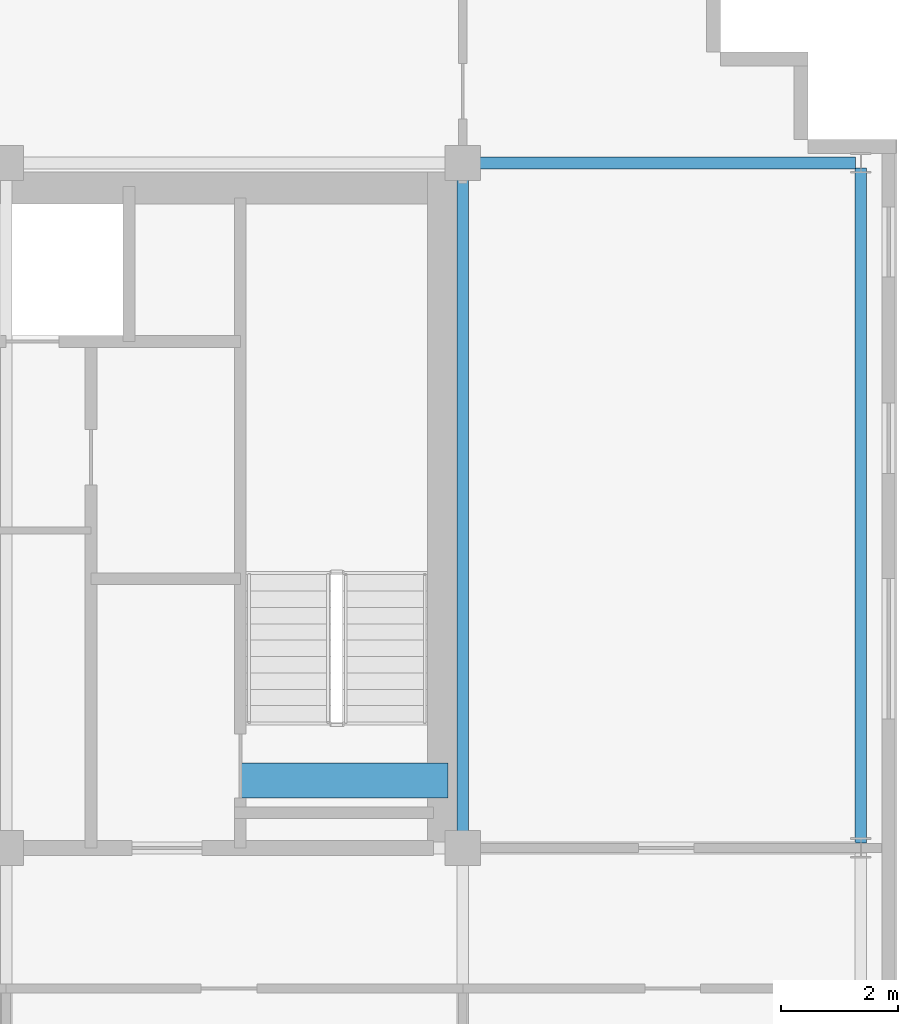
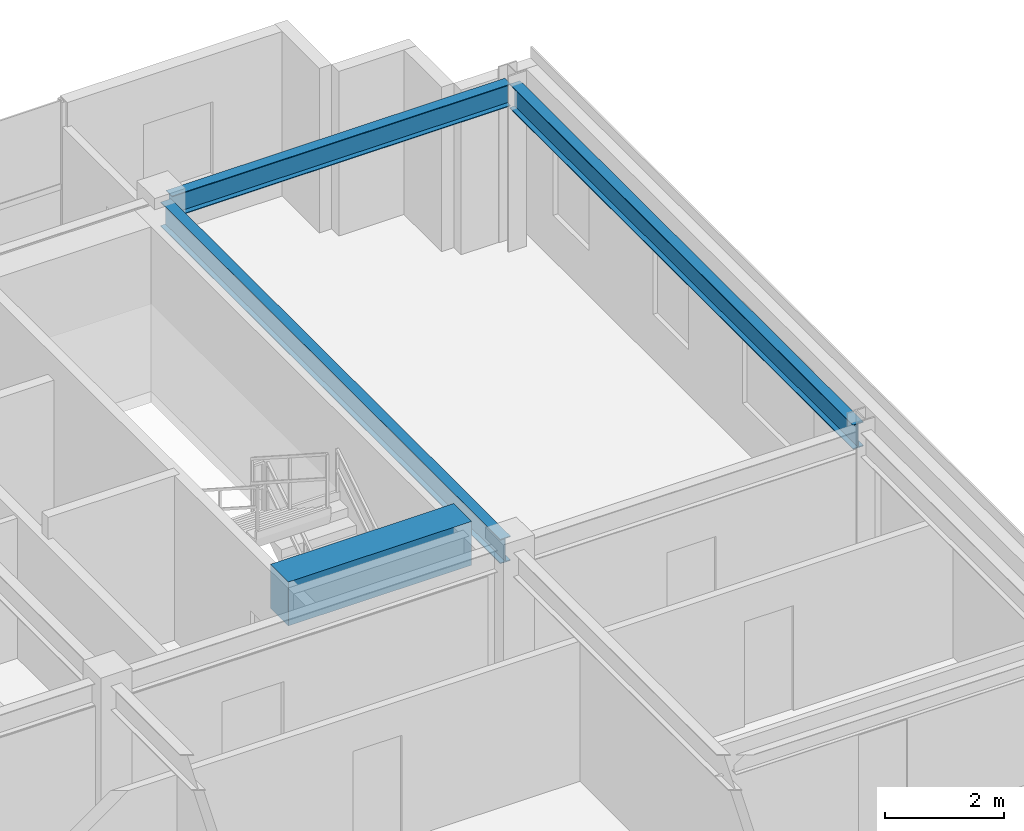
# One storey, part 13 of 21: 4 beams.
"""IFC4 building model written with IfcOpenShell, lengths in metres."""

from ifc_helpers import new_model, si_unit, direction, frame, origin, origin_2d, place, context, subcontext, project, spatial, rectangle, i_section, extrude, source, transform, mapped, material, material_profile, profile_set, type_object, element, save


model = new_model("IFC4")

# Units and contexts
model_context = context("Model", 3, precision=1e-05, world=origin(), true_north=direction((0.0, 1.0)))
body_context = subcontext(model_context, "Body", "Model", "MODEL_VIEW")
ifc_project = project(units=[si_unit("LENGTHUNIT", "METRE"), si_unit("AREAUNIT", "SQUARE_METRE"), si_unit("VOLUMEUNIT", "CUBIC_METRE"), si_unit("PLANEANGLEUNIT", "RADIAN"), si_unit("MASSUNIT", "GRAM", prefix="KILO")], contexts=[model_context])

# Site, building, storey
site_placement = place(None, origin())
site = spatial("IfcSite", under=ifc_project, at=site_placement, CompositionType="ELEMENT")
building_placement = place(site_placement, origin())
building = spatial("IfcBuilding", under=site, at=building_placement, Name="Trelvane Seafront Commons", CompositionType="ELEMENT")
storey_placement = place(building_placement, frame((0.0, 0.0, 252.300048828125)))
storey = spatial("IfcBuildingStorey", under=building, at=storey_placement, Name="L65", CompositionType="ELEMENT", Elevation=252.300048828125)

# Beams
ifc_material_1 = material(Name="Concrete C60/75", Category="concrete")
ifc_material_profile_1 = material_profile(ifc_material_1, rectangle(XDim=0.60009765625, YDim=0.89990234375, at=origin_2d()), Name="RC-600x900")
ifc_profile_set_1 = profile_set([ifc_material_profile_1], Name="Concrete C60/75")
beam_type_1 = type_object("IfcBeamType", Name="STR-LNT-RC600x900", PredefinedType="LINTEL", material=ifc_profile_set_1)
shared_shape_1 = source(origin(), body_context, "Body", "SweptSolid", [
    extrude(rectangle(XDim=0.60009765625, YDim=0.89990234375, at=origin_2d()), origin(), (0.0, 0.0, 1.0), 3.550048828125),
])
beam_1_placement = place(storey_placement, frame((55.0, 34.550048828125, 2.919921875), z_axis=(1.0, 0.0, 0.0), x_axis=(0.0, 1.0, 0.0)))
element("IfcBeam", 1, at=beam_1_placement, inside=storey, type_object=beam_type_1, Name="L65 Core Coupling Lintel Beam CB-68", PredefinedType="LINTEL", context=body_context, shape_type="MappedRepresentation", body=[
    mapped(shared_shape_1, transform((0.0, 0.0, 0.0), x_axis=(1.0, 0.0, 0.0), y_axis=(0.0, 1.0, 0.0), z_axis=(0.0, 0.0, 1.0), scale=1.0)),
])
ifc_material_2 = material(Name="Steel SM355 (S355)", Category="steel")
ifc_material_profile_2 = material_profile(ifc_material_2, i_section(OverallWidth=0.199951171875, OverallDepth=0.5, WebThickness=0.010009765625, FlangeThickness=0.01611328125, at=origin_2d()), Name="H-500x200x10x16")
ifc_profile_set_2 = profile_set([ifc_material_profile_2], Name="Steel SM355 (S355)")
beam_type_2 = type_object("IfcBeamType", Name="STR-BM-H500", PredefinedType="BEAM", material=ifc_profile_set_2)
shared_shape_2 = source(origin(), body_context, "Body", "SweptSolid", [
    extrude(i_section(OverallWidth=0.199951171875, OverallDepth=0.5, WebThickness=0.010009765625, FlangeThickness=0.01611328125, at=origin_2d()), origin(), (0.0, 0.0, 1.0), 11.39990234375),
])
beam_2_placement = place(storey_placement, frame((58.800048828125, 33.550048828125, 3.119873046875), z_axis=(0.0, 1.0, 0.0), x_axis=(-1.0, 0.0, 0.0)))
element("IfcBeam", 2, at=beam_2_placement, inside=storey, type_object=beam_type_2, Name="L65 Primary Girder G-49", PredefinedType="BEAM", context=body_context, shape_type="MappedRepresentation", body=[
    mapped(shared_shape_2, transform((0.0, 0.0, 0.0), x_axis=(1.0, 0.0, 0.0), y_axis=(0.0, 1.0, 0.0), z_axis=(0.0, 0.0, 1.0), scale=1.0)),
])
ifc_material_profile_3 = material_profile(ifc_material_2, i_section(OverallWidth=0.199951171875, OverallDepth=0.449951171875, WebThickness=0.009033203125, FlangeThickness=0.013916015625, at=origin_2d()), Name="H-450x200x9x14")
ifc_profile_set_3 = profile_set([ifc_material_profile_3], Name="Steel SM355 (S355)")
beam_type_3 = type_object("IfcBeamType", Name="STR-SPD-H450", PredefinedType="SPANDREL", material=ifc_profile_set_3)
shared_shape_3 = source(origin(), body_context, "Body", "SweptSolid", [
    extrude(i_section(OverallWidth=0.199951171875, OverallDepth=0.449951171875, WebThickness=0.009033203125, FlangeThickness=0.013916015625, at=origin_2d()), origin(), (0.0, 0.0, 1.0), 6.5625),
])
beam_3_placement = place(storey_placement, frame((58.949951171875, 45.10009765625, 3.14501953125), z_axis=(1.0, 0.0, 0.0), x_axis=(0.0, 1.0, 0.0)))
element("IfcBeam", 3, at=beam_3_placement, inside=storey, type_object=beam_type_3, Name="L65 Primary Girder G-28", PredefinedType="SPANDREL", context=body_context, shape_type="MappedRepresentation", body=[
    mapped(shared_shape_3, transform((0.0, 0.0, 0.0), x_axis=(1.0, 0.0, 0.0), y_axis=(0.0, 1.0, 0.0), z_axis=(0.0, 0.0, 1.0), scale=1.0)),
])
shared_shape_4 = source(origin(), body_context, "Body", "SweptSolid", [
    extrude(i_section(OverallWidth=0.199951171875, OverallDepth=0.5, WebThickness=0.010009765625, FlangeThickness=0.01611328125, at=origin_2d()), origin(), (0.0, 0.0, 1.0), 11.52490234375),
])
beam_4_placement = place(storey_placement, frame((65.60009765625, 33.487548828125, 3.119873046875), z_axis=(0.0, 1.0, 0.0), x_axis=(-1.0, 0.0, 0.0)))
element("IfcBeam", 4, at=beam_4_placement, inside=storey, type_object=beam_type_2, Name="L65 Primary Girder G-52", PredefinedType="BEAM", context=body_context, shape_type="MappedRepresentation", body=[
    mapped(shared_shape_4, transform((0.0, 0.0, 0.0), x_axis=(1.0, 0.0, 0.0), y_axis=(0.0, 1.0, 0.0), z_axis=(0.0, 0.0, 1.0), scale=1.0)),
])

save(model, "model.ifc")
